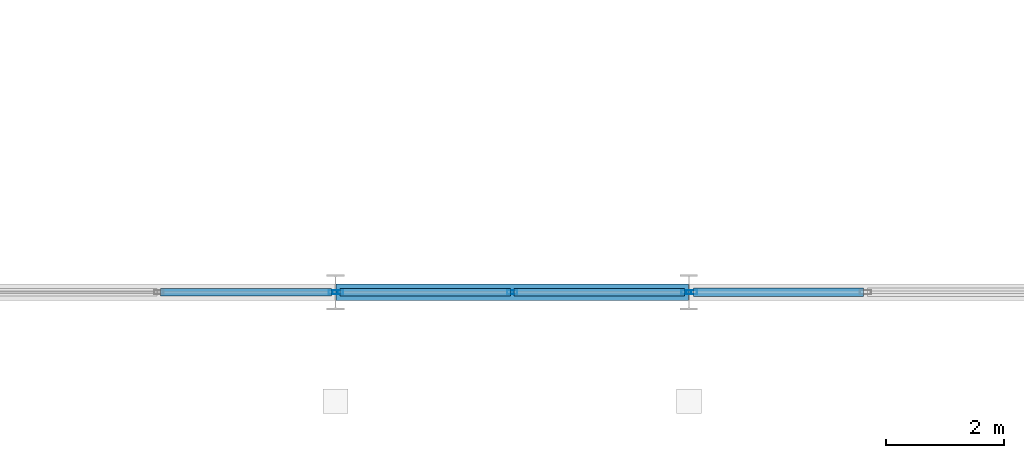
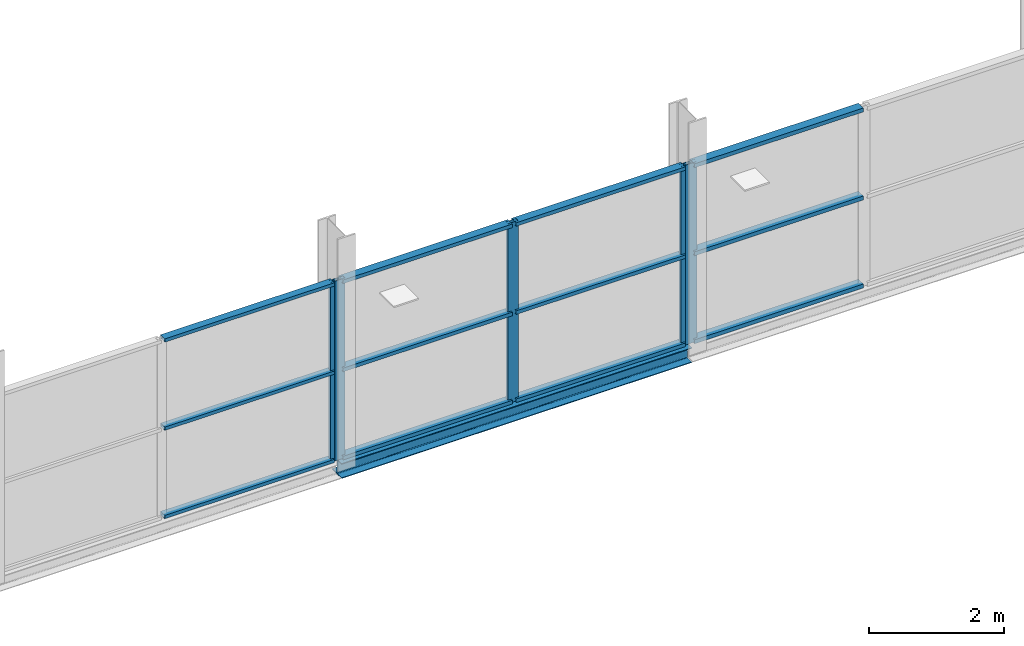
# One storey, part 25 of 135: 17 members, 1 beam, 3 elements without a shape of their own.
"""IFC4 building model written with IfcOpenShell, lengths in metres."""

from ifc_helpers import new_model, si_unit, direction, frame, origin, origin_2d, place, context, subcontext, project, spatial, hollow_rectangle, i_section, extrude, material, layer, layer_set, material_profile, profile_set, type_object, element, aggregate, save


model = new_model("IFC4")

# Units and contexts
model_context = context("Model", 3, precision=1e-05, world=origin(), true_north=direction((0.0, 1.0)))
body_context = subcontext(model_context, "Body", "Model", "MODEL_VIEW")
ifc_project = project(units=[si_unit("LENGTHUNIT", "METRE"), si_unit("AREAUNIT", "SQUARE_METRE"), si_unit("VOLUMEUNIT", "CUBIC_METRE"), si_unit("PLANEANGLEUNIT", "RADIAN"), si_unit("MASSUNIT", "GRAM", prefix="KILO")], contexts=[model_context])

# Site, building, storey
site_placement = place(None, origin())
site = spatial("IfcSite", under=ifc_project, at=site_placement, CompositionType="ELEMENT")
building_placement = place(site_placement, origin())
building = spatial("IfcBuilding", under=site, at=building_placement, Name="Deido Ridge Mobility Hub", CompositionType="ELEMENT")
storey_placement = place(building_placement, frame((0.0, 0.0, 4.199951171875)))
storey = spatial("IfcBuildingStorey", under=building, at=storey_placement, Name="L01", CompositionType="ELEMENT", Elevation=4.199951171875)

# Curtain wall, member
ifc_material_1 = material(Name="Anodised aluminium EN AW-6063 T6", Category="aluminium")
ifc_layer_1 = layer(ifc_material_1, 0.195068359375, Name="Anodised aluminium EN AW-6063 T6")
ifc_layer_set_1 = layer_set([ifc_layer_1], Name="Anodised aluminium EN AW-6063 T6")
curtain_wall_type_1 = type_object("IfcCurtainWallType", Name="CW-UF-3", PredefinedType="USERDEFINED", material=ifc_layer_set_1)
curtain_wall_1_placement = place(storey_placement, origin())
curtain_wall_1 = element("IfcCurtainWall", 1, at=curtain_wall_1_placement, inside=storey, type_object=curtain_wall_type_1, Name="Unitised curtain wall CW3", ObjectType="UNITISED FACADE", PredefinedType="USERDEFINED")
ifc_material_profile_1 = material_profile(ifc_material_1, hollow_rectangle(XDim=0.06005859375, YDim=0.159912109375, WallThickness=0.00390625, at=origin_2d()), Name="RHS 60x160x4")
ifc_profile_set_1 = profile_set([ifc_material_profile_1], Name="Anodised aluminium EN AW-6063 T6")
member_type_1 = type_object("IfcMemberType", Name="MEM-MUL-60X160", PredefinedType="MULLION", material=ifc_profile_set_1)
member_1_placement = place(storey_placement, frame((17.962158203125, 0.0, 0.0), z_axis=(0.0, 0.0, 1.0), x_axis=(0.0, 1.0, 0.0)))
member_1 = element("IfcMember", 2, at=member_1_placement, type_object=member_type_1, Name="CW3 mullion 3", PredefinedType="MULLION", context=body_context, shape_type="SweptSolid", body=[
    extrude(hollow_rectangle(XDim=0.06005859375, YDim=0.159912109375, WallThickness=0.00390625, at=origin_2d()), origin(), (0.0, 0.0, 1.0), 3.25),
])

# Curtain wall, members
ifc_layer_2 = layer(ifc_material_1, 0.2099609375, Name="Anodised aluminium EN AW-6063 T6")
ifc_layer_set_2 = layer_set([ifc_layer_2], Name="Anodised aluminium EN AW-6063 T6")
curtain_wall_type_2 = type_object("IfcCurtainWallType", Name="CW-UF-4", PredefinedType="USERDEFINED", material=ifc_layer_set_2)
curtain_wall_2_placement = place(storey_placement, origin())
curtain_wall_2 = element("IfcCurtainWall", 3, at=curtain_wall_2_placement, inside=storey, type_object=curtain_wall_type_2, Name="Unitised curtain wall CW4", ObjectType="UNITISED FACADE", PredefinedType="USERDEFINED")
ifc_material_profile_2 = material_profile(ifc_material_1, hollow_rectangle(XDim=0.06494140625, YDim=0.175048828125, WallThickness=0.00390625, at=origin_2d()), Name="RHS 65x175x4")
ifc_profile_set_2 = profile_set([ifc_material_profile_2], Name="Anodised aluminium EN AW-6063 T6")
member_type_2 = type_object("IfcMemberType", Name="MEM-MUL-65X175", PredefinedType="MULLION", material=ifc_profile_set_2)
member_2_placement = place(storey_placement, frame((18.040283203125, 0.0, 0.0), z_axis=(0.0, 0.0, 1.0), x_axis=(0.0, 1.0, 0.0)))
member_2 = element("IfcMember", 4, at=member_2_placement, type_object=member_type_2, Name="CW4 mullion 1", PredefinedType="MULLION", context=body_context, shape_type="SweptSolid", body=[
    extrude(hollow_rectangle(XDim=0.06494140625, YDim=0.175048828125, WallThickness=0.00390625, at=origin_2d()), origin(), (0.0, 0.0, 1.0), 3.25),
])
member_3_placement = place(storey_placement, frame((21.0, 0.0, 0.0), z_axis=(0.0, 0.0, 1.0), x_axis=(0.0, 1.0, 0.0)))
member_3 = element("IfcMember", 5, at=member_3_placement, type_object=member_type_2, Name="CW4 mullion 2", PredefinedType="MULLION", context=body_context, shape_type="SweptSolid", body=[
    extrude(hollow_rectangle(XDim=0.06494140625, YDim=0.175048828125, WallThickness=0.00390625, at=origin_2d()), origin(), (0.0, 0.0, 1.0), 3.25),
])
member_4_placement = place(storey_placement, frame((23.959716796875, 0.0, 0.0), z_axis=(0.0, 0.0, 1.0), x_axis=(0.0, 1.0, 0.0)))
member_4 = element("IfcMember", 6, at=member_4_placement, type_object=member_type_2, Name="CW4 mullion 3", PredefinedType="MULLION", context=body_context, shape_type="SweptSolid", body=[
    extrude(hollow_rectangle(XDim=0.06494140625, YDim=0.175048828125, WallThickness=0.00390625, at=origin_2d()), origin(), (0.0, 0.0, 1.0), 3.25),
])

# Curtain wall, member
ifc_layer_3 = layer(ifc_material_1, 0.22509765625, Name="Anodised aluminium EN AW-6063 T6")
ifc_layer_set_3 = layer_set([ifc_layer_3], Name="Anodised aluminium EN AW-6063 T6")
curtain_wall_type_3 = type_object("IfcCurtainWallType", Name="CW-UF-5", PredefinedType="USERDEFINED", material=ifc_layer_set_3)
curtain_wall_3_placement = place(storey_placement, origin())
curtain_wall_3 = element("IfcCurtainWall", 7, at=curtain_wall_3_placement, inside=storey, type_object=curtain_wall_type_3, Name="Unitised curtain wall CW5", ObjectType="UNITISED FACADE", PredefinedType="USERDEFINED")
ifc_material_profile_3 = material_profile(ifc_material_1, hollow_rectangle(XDim=0.070068359375, YDim=0.18994140625, WallThickness=0.00390625, at=origin_2d()), Name="RHS 70x190x4")
ifc_profile_set_3 = profile_set([ifc_material_profile_3], Name="Anodised aluminium EN AW-6063 T6")
member_type_3 = type_object("IfcMemberType", Name="MEM-MUL-70X190", PredefinedType="MULLION", material=ifc_profile_set_3)
member_5_placement = place(storey_placement, frame((24.042724609375, 0.0, 0.0), z_axis=(0.0, 0.0, 1.0), x_axis=(0.0, 1.0, 0.0)))
member_5 = element("IfcMember", 8, at=member_5_placement, type_object=member_type_3, Name="CW5 mullion 1", PredefinedType="MULLION", context=body_context, shape_type="SweptSolid", body=[
    extrude(hollow_rectangle(XDim=0.070068359375, YDim=0.18994140625, WallThickness=0.00390625, at=origin_2d()), origin(), (0.0, 0.0, 1.0), 3.25),
])

# Member
ifc_material_profile_4 = material_profile(ifc_material_1, hollow_rectangle(XDim=0.125, YDim=0.06005859375, WallThickness=0.00390625, at=origin_2d()), Name="RHS 125x60x4")
ifc_profile_set_4 = profile_set([ifc_material_profile_4], Name="Anodised aluminium EN AW-6063 T6")
member_type_4 = type_object("IfcMemberType", Name="MEM-TRN-125X60", PredefinedType="USERDEFINED", material=ifc_profile_set_4)
member_6_placement = place(storey_placement, frame((15.030029296875, 0.0, 0.030029296875), z_axis=(1.0, 0.0, 0.0), x_axis=(0.0, 1.0, 0.0)))
member_6 = element("IfcMember", 9, at=member_6_placement, type_object=member_type_4, Name="CW3 transom 2.1", ObjectType="TRANSOM", PredefinedType="USERDEFINED", context=body_context, shape_type="SweptSolid", body=[
    extrude(hollow_rectangle(XDim=0.125, YDim=0.06005859375, WallThickness=0.00390625, at=origin_2d()), origin(), (0.0, 0.0, 1.0), 2.902099609375),
])

member_7_placement = place(storey_placement, frame((15.030029296875, 0.0, 1.625), z_axis=(1.0, 0.0, 0.0), x_axis=(0.0, 1.0, 0.0)))
member_7 = element("IfcMember", 10, at=member_7_placement, type_object=member_type_4, Name="CW3 transom 2.2", ObjectType="TRANSOM", PredefinedType="USERDEFINED", context=body_context, shape_type="SweptSolid", body=[
    extrude(hollow_rectangle(XDim=0.125, YDim=0.06005859375, WallThickness=0.00390625, at=origin_2d()), origin(), (0.0, 0.0, 1.0), 2.902099609375),
])

member_8_placement = place(storey_placement, frame((15.030029296875, 0.0, 3.219970703125), z_axis=(1.0, 0.0, 0.0), x_axis=(0.0, 1.0, 0.0)))
member_8 = element("IfcMember", 11, at=member_8_placement, type_object=member_type_4, Name="CW3 transom 2.3", ObjectType="TRANSOM", PredefinedType="USERDEFINED", context=body_context, shape_type="SweptSolid", body=[
    extrude(hollow_rectangle(XDim=0.125, YDim=0.06005859375, WallThickness=0.00390625, at=origin_2d()), origin(), (0.0, 0.0, 1.0), 2.902099609375),
])

aggregate(curtain_wall_1, [member_1, member_6, member_7, member_8])

ifc_material_profile_5 = material_profile(ifc_material_1, hollow_rectangle(XDim=0.135009765625, YDim=0.06494140625, WallThickness=0.00390625, at=origin_2d()), Name="RHS 135x65x4")
ifc_profile_set_5 = profile_set([ifc_material_profile_5], Name="Anodised aluminium EN AW-6063 T6")
member_type_5 = type_object("IfcMemberType", Name="MEM-TRN-135X65", PredefinedType="USERDEFINED", material=ifc_profile_set_5)
member_9_placement = place(storey_placement, frame((18.07275390625, 0.0, 0.032470703125), z_axis=(1.0, 0.0, 0.0), x_axis=(0.0, 1.0, 0.0)))
member_9 = element("IfcMember", 12, at=member_9_placement, type_object=member_type_5, Name="CW4 transom 1.1", ObjectType="TRANSOM", PredefinedType="USERDEFINED", context=body_context, shape_type="SweptSolid", body=[
    extrude(hollow_rectangle(XDim=0.135009765625, YDim=0.06494140625, WallThickness=0.00390625, at=origin_2d()), origin(), (0.0, 0.0, 1.0), 2.894775390625),
])

member_10_placement = place(storey_placement, frame((18.07275390625, 0.0, 1.625), z_axis=(1.0, 0.0, 0.0), x_axis=(0.0, 1.0, 0.0)))
member_10 = element("IfcMember", 13, at=member_10_placement, type_object=member_type_5, Name="CW4 transom 1.2", ObjectType="TRANSOM", PredefinedType="USERDEFINED", context=body_context, shape_type="SweptSolid", body=[
    extrude(hollow_rectangle(XDim=0.135009765625, YDim=0.06494140625, WallThickness=0.00390625, at=origin_2d()), origin(), (0.0, 0.0, 1.0), 2.894775390625),
])

member_11_placement = place(storey_placement, frame((18.07275390625, 0.0, 3.217529296875), z_axis=(1.0, 0.0, 0.0), x_axis=(0.0, 1.0, 0.0)))
member_11 = element("IfcMember", 14, at=member_11_placement, type_object=member_type_5, Name="CW4 transom 1.3", ObjectType="TRANSOM", PredefinedType="USERDEFINED", context=body_context, shape_type="SweptSolid", body=[
    extrude(hollow_rectangle(XDim=0.135009765625, YDim=0.06494140625, WallThickness=0.00390625, at=origin_2d()), origin(), (0.0, 0.0, 1.0), 2.894775390625),
])

member_12_placement = place(storey_placement, frame((21.032470703125, 0.0, 0.032470703125), z_axis=(1.0, 0.0, 0.0), x_axis=(0.0, 1.0, 0.0)))
member_12 = element("IfcMember", 15, at=member_12_placement, type_object=member_type_5, Name="CW4 transom 2.1", ObjectType="TRANSOM", PredefinedType="USERDEFINED", context=body_context, shape_type="SweptSolid", body=[
    extrude(hollow_rectangle(XDim=0.135009765625, YDim=0.06494140625, WallThickness=0.00390625, at=origin_2d()), origin(), (0.0, 0.0, 1.0), 2.894775390625),
])

member_13_placement = place(storey_placement, frame((21.032470703125, 0.0, 1.625), z_axis=(1.0, 0.0, 0.0), x_axis=(0.0, 1.0, 0.0)))
member_13 = element("IfcMember", 16, at=member_13_placement, type_object=member_type_5, Name="CW4 transom 2.2", ObjectType="TRANSOM", PredefinedType="USERDEFINED", context=body_context, shape_type="SweptSolid", body=[
    extrude(hollow_rectangle(XDim=0.135009765625, YDim=0.06494140625, WallThickness=0.00390625, at=origin_2d()), origin(), (0.0, 0.0, 1.0), 2.894775390625),
])

member_14_placement = place(storey_placement, frame((21.032470703125, 0.0, 3.217529296875), z_axis=(1.0, 0.0, 0.0), x_axis=(0.0, 1.0, 0.0)))
member_14 = element("IfcMember", 17, at=member_14_placement, type_object=member_type_5, Name="CW4 transom 2.3", ObjectType="TRANSOM", PredefinedType="USERDEFINED", context=body_context, shape_type="SweptSolid", body=[
    extrude(hollow_rectangle(XDim=0.135009765625, YDim=0.06494140625, WallThickness=0.00390625, at=origin_2d()), origin(), (0.0, 0.0, 1.0), 2.894775390625),
])

aggregate(curtain_wall_2, [member_2, member_3, member_4, member_9, member_10, member_11, member_12, member_13, member_14])

ifc_material_profile_6 = material_profile(ifc_material_1, hollow_rectangle(XDim=0.14501953125, YDim=0.070068359375, WallThickness=0.00390625, at=origin_2d()), Name="RHS 145x70x4")
ifc_profile_set_6 = profile_set([ifc_material_profile_6], Name="Anodised aluminium EN AW-6063 T6")
member_type_6 = type_object("IfcMemberType", Name="MEM-TRN-145X70", PredefinedType="USERDEFINED", material=ifc_profile_set_6)
member_15_placement = place(storey_placement, frame((24.077880859375, 0.0, 0.03515625), z_axis=(1.0, 0.0, 0.0), x_axis=(0.0, 1.0, 0.0)))
member_15 = element("IfcMember", 18, at=member_15_placement, type_object=member_type_6, Name="CW5 transom 1.1", ObjectType="TRANSOM", PredefinedType="USERDEFINED", context=body_context, shape_type="SweptSolid", body=[
    extrude(hollow_rectangle(XDim=0.14501953125, YDim=0.070068359375, WallThickness=0.00390625, at=origin_2d()), origin(), (0.0, 0.0, 1.0), 2.885009765625),
])

member_16_placement = place(storey_placement, frame((24.077880859375, 0.0, 1.625), z_axis=(1.0, 0.0, 0.0), x_axis=(0.0, 1.0, 0.0)))
member_16 = element("IfcMember", 19, at=member_16_placement, type_object=member_type_6, Name="CW5 transom 1.2", ObjectType="TRANSOM", PredefinedType="USERDEFINED", context=body_context, shape_type="SweptSolid", body=[
    extrude(hollow_rectangle(XDim=0.14501953125, YDim=0.070068359375, WallThickness=0.00390625, at=origin_2d()), origin(), (0.0, 0.0, 1.0), 2.885009765625),
])

member_17_placement = place(storey_placement, frame((24.077880859375, 0.0, 3.215087890625), z_axis=(1.0, 0.0, 0.0), x_axis=(0.0, 1.0, 0.0)))
member_17 = element("IfcMember", 20, at=member_17_placement, type_object=member_type_6, Name="CW5 transom 1.3", ObjectType="TRANSOM", PredefinedType="USERDEFINED", context=body_context, shape_type="SweptSolid", body=[
    extrude(hollow_rectangle(XDim=0.14501953125, YDim=0.070068359375, WallThickness=0.00390625, at=origin_2d()), origin(), (0.0, 0.0, 1.0), 2.885009765625),
])

aggregate(curtain_wall_3, [member_5, member_15, member_16, member_17])

# Beam
ifc_material_2 = material(Name="Steel S355J2 EN 10025-2", Category="steel")
ifc_material_profile_7 = material_profile(ifc_material_2, i_section(OverallWidth=0.280029296875, OverallDepth=0.27001953125, WebThickness=0.008056640625, FlangeThickness=0.012939453125, FilletRadius=0.02392578125, at=origin_2d()), Name="HEA 280")
ifc_profile_set_7 = profile_set([ifc_material_profile_7], Name="Steel S355J2 EN 10025-2")
beam_type = type_object("IfcBeamType", Name="SPD-HEA280", PredefinedType="SPANDREL", material=ifc_profile_set_7)
beam_placement = place(storey_placement, frame((18.0078125, 0.0, -0.135009765625), z_axis=(1.0, 0.0, 0.0), x_axis=(0.0, 1.0, 0.0)))
element("IfcBeam", 21, at=beam_placement, inside=storey, type_object=beam_type, Name="Concourse perimeter wind girt SP2", PredefinedType="SPANDREL", context=body_context, shape_type="SweptSolid", body=[
    extrude(i_section(OverallWidth=0.280029296875, OverallDepth=0.27001953125, WebThickness=0.008056640625, FlangeThickness=0.012939453125, FilletRadius=0.02392578125, at=origin_2d()), origin(), (0.0, 0.0, 1.0), 5.984375),
])

save(model, "model.ifc")
